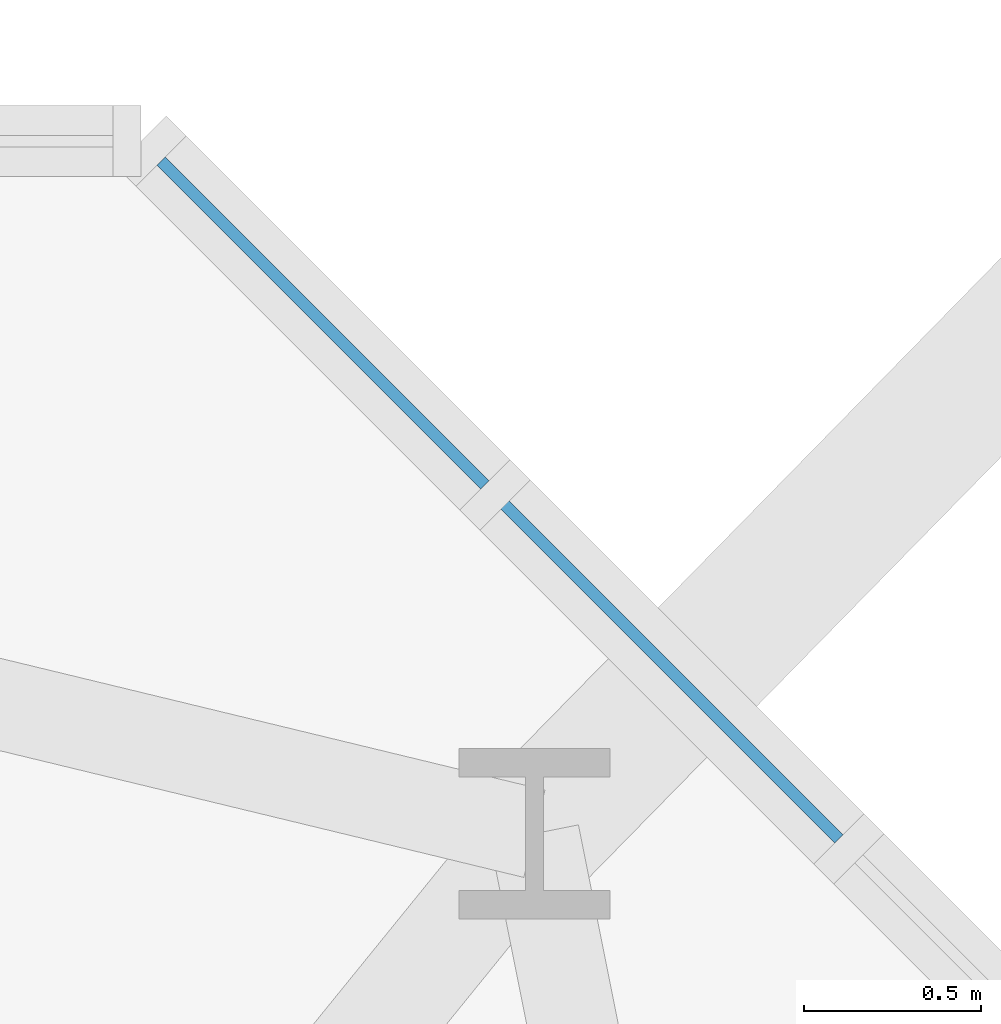
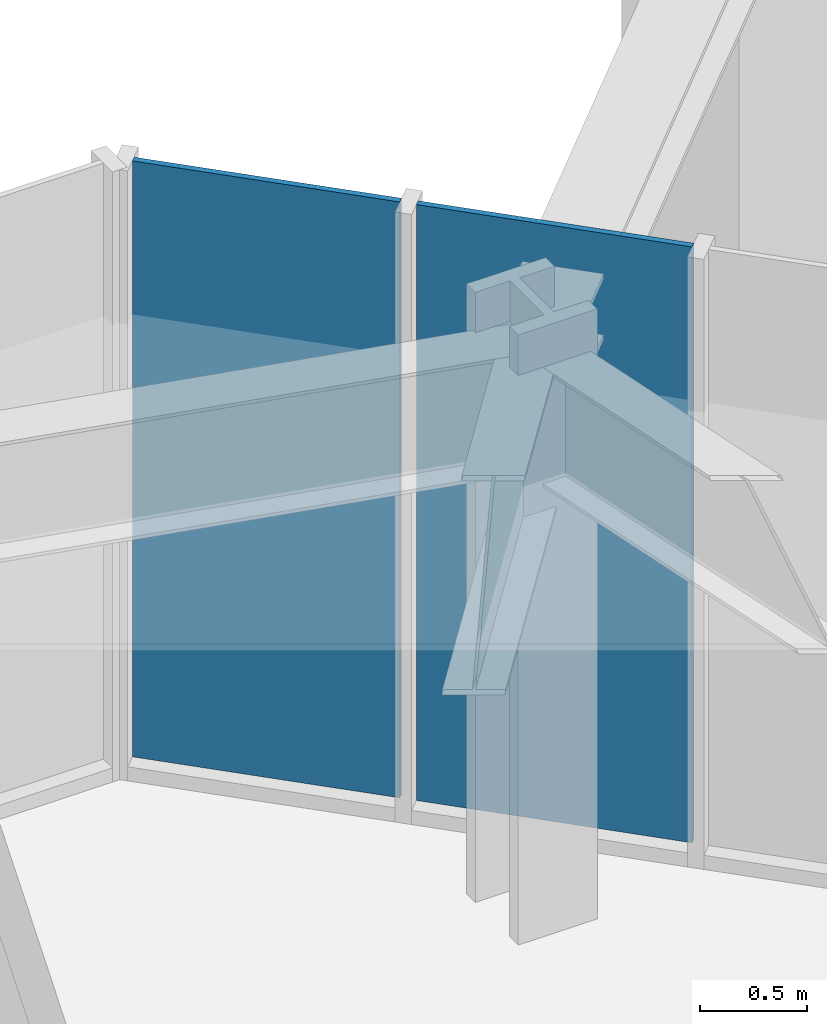
# One storey, part 16 of 28: 2 plates, 1 element without a shape of its own.
"""IFC4 building model written with IfcOpenShell, lengths in metres."""

from ifc_helpers import new_model, si_unit, direction, frame, origin, origin_2d, place, context, subcontext, project, spatial, rectangle, extrude, material, layer, layer_set, type_object, element, aggregate, save


model = new_model("IFC4")

# Units and contexts
model_context = context("Model", 3, precision=1e-05, world=origin(), true_north=direction((0.0, 1.0)))
body_context = subcontext(model_context, "Body", "Model", "MODEL_VIEW")
ifc_project = project(units=[si_unit("LENGTHUNIT", "METRE"), si_unit("AREAUNIT", "SQUARE_METRE"), si_unit("VOLUMEUNIT", "CUBIC_METRE"), si_unit("PLANEANGLEUNIT", "RADIAN"), si_unit("MASSUNIT", "GRAM", prefix="KILO")], contexts=[model_context])

# Site, building, storey
site_placement = place(None, origin())
site = spatial("IfcSite", under=ifc_project, at=site_placement, CompositionType="ELEMENT")
building_placement = place(site_placement, origin())
building = spatial("IfcBuilding", under=site, at=building_placement, Name="Iwan Alto Co-Living Towers", CompositionType="ELEMENT")
storey_placement = place(building_placement, frame((0.0, 0.0, 98.0)))
storey = spatial("IfcBuildingStorey", under=building, at=storey_placement, Name="L26", CompositionType="ELEMENT", Elevation=98.0)

# Curtain wall, plates
ifc_material_1 = material(Name="Bronze aluminium unitised frame", Category="aluminium")
curtain_wall_type = type_object("IfcCurtainWallType", Name="CURTAIN WALL CW-D", PredefinedType="NOTDEFINED", material=ifc_material_1)
curtain_wall_placement = place(storey_placement, origin())
curtain_wall = element("IfcCurtainWall", 1, at=curtain_wall_placement, inside=storey, type_object=curtain_wall_type, Name="T2 chamfer curtain wall NE L26", PredefinedType="NOTDEFINED")
ifc_material_2 = material(Name="Bronze-tinted insulating glass", Category="glass")
ifc_layer = layer(ifc_material_2, 0.031982421875)
ifc_layer_set = layer_set([ifc_layer], Name="CW-D PANEL TINTED IGU 32")
plate_type = type_object("IfcPlateType", Name="CW-D PANEL TINTED IGU 32", PredefinedType="CURTAIN_PANEL", material=ifc_layer_set)
plate_1_placement = place(storey_placement, frame((75.75, 15.0, 0.10009765625), z_axis=(0.0, 0.0, 1.0), x_axis=(-0.707106781187, 0.707106781187, 0.0)))
plate_1 = element("IfcPlate", 2, at=plate_1_placement, type_object=plate_type, Name="CW-D panel 2.1", PredefinedType="CURTAIN_PANEL", context=body_context, shape_type="SweptSolid", body=[
    extrude(rectangle(XDim=1.334228515625, YDim=0.031982421875, at=origin_2d()), origin(), (0.0, 0.0, 1.0), 3.39990234375),
])
plate_2_placement = place(storey_placement, frame((74.76416015625, 15.98583984375, 0.10009765625), z_axis=(0.0, 0.0, 1.0), x_axis=(-0.707106781187, 0.707106781187, 0.0)))
plate_2 = element("IfcPlate", 3, at=plate_2_placement, type_object=plate_type, Name="CW-D panel 3.1", PredefinedType="CURTAIN_PANEL", context=body_context, shape_type="SweptSolid", body=[
    extrude(rectangle(XDim=1.294189453125, YDim=0.031982421875, at=origin_2d()), origin(), (0.0, 0.0, 1.0), 3.39990234375),
])
aggregate(curtain_wall, [plate_1, plate_2])

save(model, "model.ifc")
